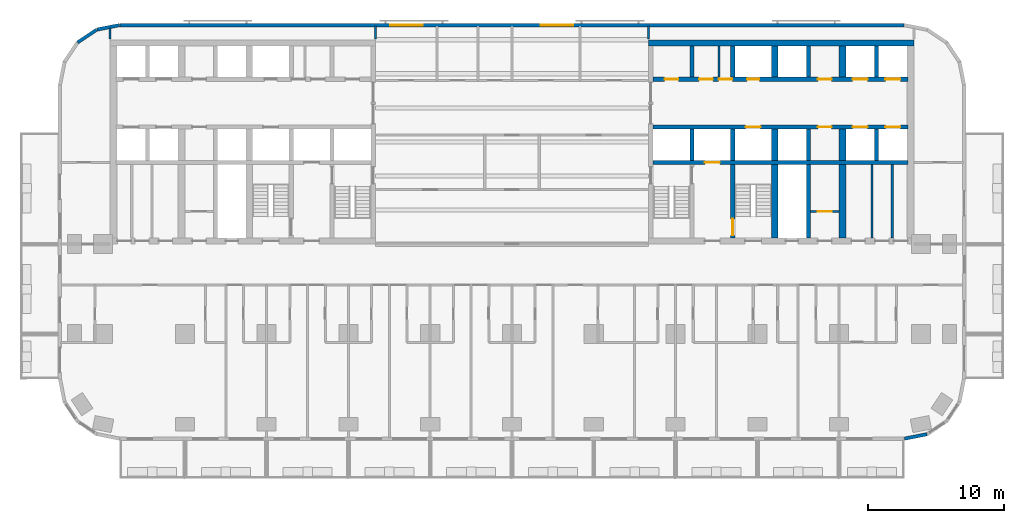
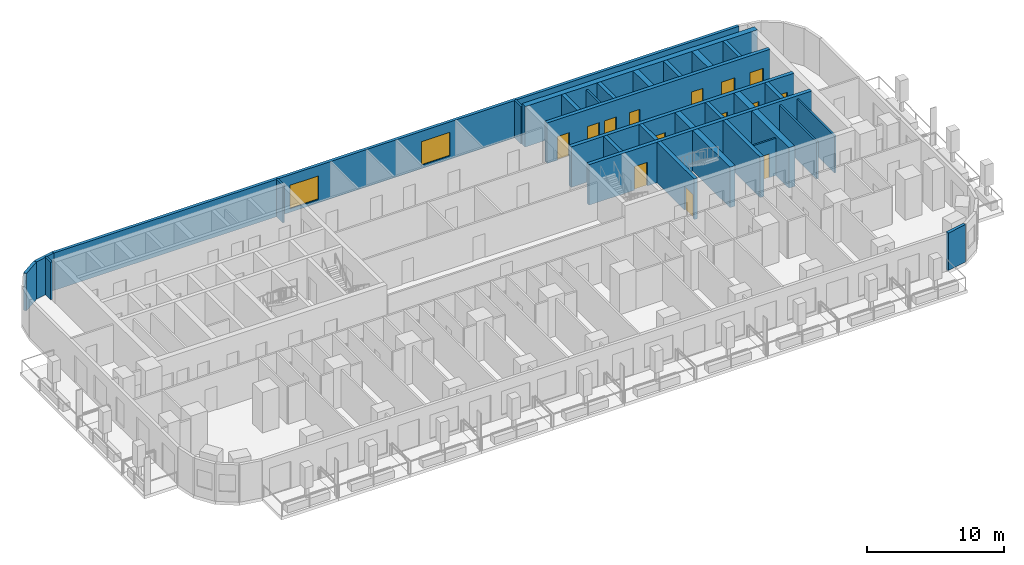
# One storey, part 8 of 15: 31 walls, 14 doors, 2 windows, 16 openings.
"""IFC4 building model written with IfcOpenShell, lengths in metres."""

from ifc_helpers import new_model, si_unit, direction, frame, frame_2d, origin, place, context, subcontext, project, spatial, rectangle, extrude, material, layer, layer_set, type_object, element, fill, save


model = new_model("IFC4")

# Units and contexts
model_context = context("Model", 3, precision=1e-05, world=origin(), true_north=direction((0.0, 1.0)))
body_context = subcontext(model_context, "Body", "Model", "MODEL_VIEW")
ifc_project = project(units=[si_unit("LENGTHUNIT", "METRE"), si_unit("AREAUNIT", "SQUARE_METRE"), si_unit("VOLUMEUNIT", "CUBIC_METRE"), si_unit("PLANEANGLEUNIT", "RADIAN"), si_unit("MASSUNIT", "GRAM", prefix="KILO")], contexts=[model_context])

# Site, building, storey
site_placement = place(None, origin())
site = spatial("IfcSite", under=ifc_project, at=site_placement, CompositionType="ELEMENT")
building_placement = place(site_placement, origin())
building = spatial("IfcBuilding", under=site, at=building_placement, Name="Torana Hotel and Residences", CompositionType="ELEMENT")
storey_placement = place(building_placement, frame((0.0, 0.0, 42.0)))
storey = spatial("IfcBuildingStorey", under=building, at=storey_placement, Name="L09", CompositionType="ELEMENT", Elevation=42.0)

# Wall, openings, doors
ifc_material_1 = material(Name="Concrete C80/95", Category="concrete")
ifc_layer_1 = layer(ifc_material_1, 0.300048828125)
ifc_layer_set_1 = layer_set([ifc_layer_1], Name="CORE WALL 300 C80/95")
wall_type_1 = type_object("IfcWallType", Name="CORE WALL 300 C80/95", PredefinedType="SHEAR", material=ifc_layer_set_1)
wall_1_placement = place(storey_placement, frame((10.35009765625, -2.89990234375, 0.0), z_axis=(0.0, 0.0, 1.0), x_axis=(1.0, 0.0, 0.0)))
wall_1 = element("IfcWall", 1, at=wall_1_placement, inside=storey, type_object=wall_type_1, Name="Core wall E row-N", PredefinedType="SHEAR", context=body_context, shape_type="SweptSolid", body=[
    extrude(rectangle(XDim=18.699951171875, YDim=0.300048828125, at=frame_2d((9.35009765625, 0.0))), origin(), (0.0, 0.0, 1.0), 3.60009765625),
])
opening_1_placement = place(wall_1_placement, frame((14.64990234375, 0.0, 0.0)))
opening_1 = element("IfcOpeningElement", 2, at=opening_1_placement, cuts=wall_1, Name="Opening LD", PredefinedType="OPENING", context=body_context, shape_type="SweptSolid", body=[
    extrude(rectangle(XDim=1.10009765625, YDim=2.10009765625, at=frame_2d((0.550048828125, 1.050048828125))), frame((0.0, 0.159912109375, 0.0), z_axis=(0.0, -1.0, 0.0), x_axis=(1.0, 0.0, 0.0)), (0.0, 0.0, 1.0), 0.320068359375),
])
opening_2_placement = place(wall_1_placement, frame((17.050048828125, 0.0, 0.0)))
opening_2 = element("IfcOpeningElement", 3, at=opening_2_placement, cuts=wall_1, Name="Opening LD", PredefinedType="OPENING", context=body_context, shape_type="SweptSolid", body=[
    extrude(rectangle(XDim=1.10009765625, YDim=2.10009765625, at=frame_2d((0.550048828125, 1.050048828125))), frame((0.0, 0.159912109375, 0.0), z_axis=(0.0, -1.0, 0.0), x_axis=(1.0, 0.0, 0.0)), (0.0, 0.0, 1.0), 0.320068359375),
])
opening_3_placement = place(wall_1_placement, frame((6.89990234375, 0.0, 0.0)))
opening_3 = element("IfcOpeningElement", 4, at=opening_3_placement, cuts=wall_1, Name="Opening L09-29", PredefinedType="OPENING", context=body_context, shape_type="SweptSolid", body=[
    extrude(rectangle(XDim=0.89990234375, YDim=2.10009765625, at=frame_2d((0.449951171875, 1.050048828125))), frame((0.0, 0.159912109375, 0.0), z_axis=(0.0, -1.0, 0.0), x_axis=(1.0, 0.0, 0.0)), (0.0, 0.0, 1.0), 0.320068359375),
])
opening_4_placement = place(wall_1_placement, frame((0.85009765625, 0.0, 0.0)))
opening_4 = element("IfcOpeningElement", 5, at=opening_4_placement, cuts=wall_1, Name="Opening L09-30", PredefinedType="OPENING", context=body_context, shape_type="SweptSolid", body=[
    extrude(rectangle(XDim=1.0, YDim=2.10009765625, at=frame_2d((0.5, 1.050048828125))), frame((0.0, 0.159912109375, 0.0), z_axis=(0.0, -1.0, 0.0), x_axis=(1.0, 0.0, 0.0)), (0.0, 0.0, 1.0), 0.320068359375),
])
opening_5_placement = place(wall_1_placement, frame((3.387451171875, 0.0, 0.0)))
opening_5 = element("IfcOpeningElement", 6, at=opening_5_placement, cuts=wall_1, Name="Opening L09-31", PredefinedType="OPENING", context=body_context, shape_type="SweptSolid", body=[
    extrude(rectangle(XDim=1.0, YDim=2.10009765625, at=frame_2d((0.5, 1.050048828125))), frame((0.0, 0.159912109375, 0.0), z_axis=(0.0, -1.0, 0.0), x_axis=(1.0, 0.0, 0.0)), (0.0, 0.0, 1.0), 0.320068359375),
])
opening_6_placement = place(wall_1_placement, frame((4.8125, 0.0, 0.0)))
opening_6 = element("IfcOpeningElement", 7, at=opening_6_placement, cuts=wall_1, Name="Opening L09-32", PredefinedType="OPENING", context=body_context, shape_type="SweptSolid", body=[
    extrude(rectangle(XDim=1.0, YDim=2.10009765625, at=frame_2d((0.5, 1.050048828125))), frame((0.0, 0.159912109375, 0.0), z_axis=(0.0, -1.0, 0.0), x_axis=(1.0, 0.0, 0.0)), (0.0, 0.0, 1.0), 0.320068359375),
])
opening_7_placement = place(wall_1_placement, frame((12.10009765625, 0.0, 0.0)))
opening_7 = element("IfcOpeningElement", 8, at=opening_7_placement, cuts=wall_1, Name="Opening L09-33", PredefinedType="OPENING", context=body_context, shape_type="SweptSolid", body=[
    extrude(rectangle(XDim=1.0, YDim=2.10009765625, at=frame_2d((0.5, 1.050048828125))), frame((0.0, 0.159912109375, 0.0), z_axis=(0.0, -1.0, 0.0), x_axis=(1.0, 0.0, 0.0)), (0.0, 0.0, 1.0), 0.320068359375),
])
ifc_material_2 = material(Name="Steel S235", Category="steel")
door_type_1 = type_object("IfcDoorType", Name="CORE ROOM FIRE DOOR D14 1000x2100", OperationType="SINGLE_SWING_LEFT", PredefinedType="DOOR", material=ifc_material_2)
door_1_placement = place(opening_4_placement, origin())
door_1 = element("IfcDoor", 9, at=door_1_placement, inside=storey, type_object=door_type_1, Name="N0 door L09", OperationType="SINGLE_SWING_RIGHT", OverallHeight=2.10009765625, OverallWidth=1.0, PredefinedType="DOOR", context=body_context, shape_type="SweptSolid", body=[
    extrude(rectangle(XDim=1.0, YDim=2.10009765625, at=frame_2d((0.5, 1.050048828125))), frame((0.0, 0.02490234375, 0.0), z_axis=(0.0, -1.0, 0.0), x_axis=(1.0, 0.0, 0.0)), (0.0, 0.0, 1.0), 0.050048828125),
])
fill(opening_4, door_1)
door_2_placement = place(opening_5_placement, origin())
door_2 = element("IfcDoor", 10, at=door_2_placement, inside=storey, type_object=door_type_1, Name="N1A door L09", OperationType="SINGLE_SWING_RIGHT", OverallHeight=2.10009765625, OverallWidth=1.0, PredefinedType="DOOR", context=body_context, shape_type="SweptSolid", body=[
    extrude(rectangle(XDim=1.0, YDim=2.10009765625, at=frame_2d((0.5, 1.050048828125))), frame((0.0, 0.02490234375, 0.0), z_axis=(0.0, -1.0, 0.0), x_axis=(1.0, 0.0, 0.0)), (0.0, 0.0, 1.0), 0.050048828125),
])
fill(opening_5, door_2)
door_3_placement = place(opening_6_placement, origin())
door_3 = element("IfcDoor", 11, at=door_3_placement, inside=storey, type_object=door_type_1, Name="N1B door L09", OperationType="SINGLE_SWING_LEFT", OverallHeight=2.10009765625, OverallWidth=1.0, PredefinedType="DOOR", context=body_context, shape_type="SweptSolid", body=[
    extrude(rectangle(XDim=1.0, YDim=2.10009765625, at=frame_2d((0.5, 1.050048828125))), frame((0.0, 0.02490234375, 0.0), z_axis=(0.0, -1.0, 0.0), x_axis=(1.0, 0.0, 0.0)), (0.0, 0.0, 1.0), 0.050048828125),
])
fill(opening_6, door_3)
door_4_placement = place(opening_7_placement, origin())
door_4 = element("IfcDoor", 12, at=door_4_placement, inside=storey, type_object=door_type_1, Name="Free-M3 door L09", OperationType="SINGLE_SWING_RIGHT", OverallHeight=2.10009765625, OverallWidth=1.0, PredefinedType="DOOR", context=body_context, shape_type="SweptSolid", body=[
    extrude(rectangle(XDim=1.0, YDim=2.10009765625, at=frame_2d((0.5, 1.050048828125))), frame((0.0, 0.02490234375, 0.0), z_axis=(0.0, -1.0, 0.0), x_axis=(1.0, 0.0, 0.0)), (0.0, 0.0, 1.0), 0.050048828125),
])
fill(opening_7, door_4)
ifc_material_3 = material(Name="Stainless steel 316", Category="steel")
door_type_2 = type_object("IfcDoorType", Name="LIFT LANDING DOOR LD 1100x2100", OperationType="DOUBLE_DOOR_SLIDING", PredefinedType="USERDEFINED", material=ifc_material_3)
door_5_placement = place(opening_1_placement, origin())
door_5 = element("IfcDoor", 13, at=door_5_placement, inside=storey, type_object=door_type_2, Name="Lift landing door L5 L09", ObjectType="LIFT LANDING DOOR", OperationType="DOUBLE_DOOR_SLIDING", OverallHeight=2.10009765625, OverallWidth=1.10009765625, PredefinedType="USERDEFINED", context=body_context, shape_type="SweptSolid", body=[
    extrude(rectangle(XDim=1.10009765625, YDim=2.10009765625, at=frame_2d((0.550048828125, 1.050048828125))), frame((0.0, 0.02490234375, 0.0), z_axis=(0.0, -1.0, 0.0), x_axis=(1.0, 0.0, 0.0)), (0.0, 0.0, 1.0), 0.050048828125),
])
fill(opening_1, door_5)
door_6_placement = place(opening_2_placement, origin())
door_6 = element("IfcDoor", 14, at=door_6_placement, inside=storey, type_object=door_type_2, Name="Lift landing door L6 L09", ObjectType="LIFT LANDING DOOR", OperationType="DOUBLE_DOOR_SLIDING", OverallHeight=2.10009765625, OverallWidth=1.10009765625, PredefinedType="USERDEFINED", context=body_context, shape_type="SweptSolid", body=[
    extrude(rectangle(XDim=1.10009765625, YDim=2.10009765625, at=frame_2d((0.550048828125, 1.050048828125))), frame((0.0, 0.02490234375, 0.0), z_axis=(0.0, -1.0, 0.0), x_axis=(1.0, 0.0, 0.0)), (0.0, 0.0, 1.0), 0.050048828125),
])
fill(opening_2, door_6)
ifc_material_4 = material(Name="Steel S235", Category="steel")
door_type_3 = type_object("IfcDoorType", Name="RISER ACCESS DOOR D5 900x2100", OperationType="SINGLE_SWING_LEFT", PredefinedType="DOOR", material=ifc_material_4)
door_7_placement = place(opening_3_placement, origin())
door_7 = element("IfcDoor", 15, at=door_7_placement, inside=storey, type_object=door_type_3, Name="N2 door L09", OperationType="SINGLE_SWING_RIGHT", OverallHeight=2.10009765625, OverallWidth=0.89990234375, PredefinedType="DOOR", context=body_context, shape_type="SweptSolid", body=[
    extrude(rectangle(XDim=0.89990234375, YDim=2.10009765625, at=frame_2d((0.449951171875, 1.050048828125))), frame((0.0, 0.02490234375, 0.0), z_axis=(0.0, -1.0, 0.0), x_axis=(1.0, 0.0, 0.0)), (0.0, 0.0, 1.0), 0.050048828125),
])
fill(opening_3, door_7)

wall_2_placement = place(storey_placement, frame((10.35009765625, -6.39990234375, 0.0), z_axis=(0.0, 0.0, 1.0), x_axis=(1.0, 0.0, 0.0)))
wall_2 = element("IfcWall", 16, at=wall_2_placement, inside=storey, type_object=wall_type_1, Name="Core wall E row-S", PredefinedType="SHEAR", context=body_context, shape_type="SweptSolid", body=[
    extrude(rectangle(XDim=18.699951171875, YDim=0.300048828125, at=frame_2d((9.35009765625, 0.0))), origin(), (0.0, 0.0, 1.0), 3.60009765625),
])
opening_8_placement = place(wall_2_placement, frame((14.64990234375, 0.0, 0.0)))
opening_8 = element("IfcOpeningElement", 17, at=opening_8_placement, cuts=wall_2, Name="Opening LD", PredefinedType="OPENING", context=body_context, shape_type="SweptSolid", body=[
    extrude(rectangle(XDim=1.10009765625, YDim=2.10009765625, at=frame_2d((0.550048828125, 1.050048828125))), frame((0.0, 0.159912109375, 0.0), z_axis=(0.0, -1.0, 0.0), x_axis=(1.0, 0.0, 0.0)), (0.0, 0.0, 1.0), 0.320068359375),
])
opening_9_placement = place(wall_2_placement, frame((17.050048828125, 0.0, 0.0)))
opening_9 = element("IfcOpeningElement", 18, at=opening_9_placement, cuts=wall_2, Name="Opening LD", PredefinedType="OPENING", context=body_context, shape_type="SweptSolid", body=[
    extrude(rectangle(XDim=1.10009765625, YDim=2.10009765625, at=frame_2d((0.550048828125, 1.050048828125))), frame((0.0, 0.159912109375, 0.0), z_axis=(0.0, -1.0, 0.0), x_axis=(1.0, 0.0, 0.0)), (0.0, 0.0, 1.0), 0.320068359375),
])
opening_10_placement = place(wall_2_placement, frame((6.800048828125, 0.0, 0.0)))
opening_10 = element("IfcOpeningElement", 19, at=opening_10_placement, cuts=wall_2, Name="Opening LD", PredefinedType="OPENING", context=body_context, shape_type="SweptSolid", body=[
    extrude(rectangle(XDim=1.10009765625, YDim=2.10009765625, at=frame_2d((0.550048828125, 1.050048828125))), frame((0.0, 0.159912109375, 0.0), z_axis=(0.0, -1.0, 0.0), x_axis=(1.0, 0.0, 0.0)), (0.0, 0.0, 1.0), 0.320068359375),
])
opening_11_placement = place(wall_2_placement, frame((12.10009765625, 0.0, 0.0)))
opening_11 = element("IfcOpeningElement", 20, at=opening_11_placement, cuts=wall_2, Name="Opening L09-34", PredefinedType="OPENING", context=body_context, shape_type="SweptSolid", body=[
    extrude(rectangle(XDim=1.0, YDim=2.10009765625, at=frame_2d((0.5, 1.050048828125))), frame((0.0, 0.159912109375, 0.0), z_axis=(0.0, -1.0, 0.0), x_axis=(1.0, 0.0, 0.0)), (0.0, 0.0, 1.0), 0.320068359375),
])
door_8_placement = place(opening_11_placement, frame((0.5, 0.0, 0.0), z_axis=(0.0, 0.0, 1.0), x_axis=(-1.0, 0.0, 0.0)))
door_8 = element("IfcDoor", 21, at=door_8_placement, inside=storey, type_object=door_type_1, Name="Free-M4 door L09", OperationType="SINGLE_SWING_LEFT", OverallHeight=2.10009765625, OverallWidth=1.0, PredefinedType="DOOR", context=body_context, shape_type="SweptSolid", body=[
    extrude(rectangle(XDim=1.0, YDim=2.10009765625, at=frame_2d((0.0, 1.050048828125))), frame((0.0, -0.02490234375, 0.0), z_axis=(0.0, 1.0, 0.0), x_axis=(-1.0, 0.0, 0.0)), (0.0, 0.0, 1.0), 0.050048828125),
])
fill(opening_11, door_8)
door_9_placement = place(opening_8_placement, origin())
door_9 = element("IfcDoor", 22, at=door_9_placement, inside=storey, type_object=door_type_2, Name="Lift landing door L7 L09", ObjectType="LIFT LANDING DOOR", OperationType="DOUBLE_DOOR_SLIDING", OverallHeight=2.10009765625, OverallWidth=1.10009765625, PredefinedType="USERDEFINED", context=body_context, shape_type="SweptSolid", body=[
    extrude(rectangle(XDim=1.10009765625, YDim=2.10009765625, at=frame_2d((0.550048828125, 1.050048828125))), frame((0.0, 0.02490234375, 0.0), z_axis=(0.0, -1.0, 0.0), x_axis=(1.0, 0.0, 0.0)), (0.0, 0.0, 1.0), 0.050048828125),
])
fill(opening_8, door_9)
door_10_placement = place(opening_9_placement, origin())
door_10 = element("IfcDoor", 23, at=door_10_placement, inside=storey, type_object=door_type_2, Name="Lift landing door L8 L09", ObjectType="LIFT LANDING DOOR", OperationType="DOUBLE_DOOR_SLIDING", OverallHeight=2.10009765625, OverallWidth=1.10009765625, PredefinedType="USERDEFINED", context=body_context, shape_type="SweptSolid", body=[
    extrude(rectangle(XDim=1.10009765625, YDim=2.10009765625, at=frame_2d((0.550048828125, 1.050048828125))), frame((0.0, 0.02490234375, 0.0), z_axis=(0.0, -1.0, 0.0), x_axis=(1.0, 0.0, 0.0)), (0.0, 0.0, 1.0), 0.050048828125),
])
fill(opening_9, door_10)
door_11_placement = place(opening_10_placement, origin())
door_11 = element("IfcDoor", 24, at=door_11_placement, inside=storey, type_object=door_type_2, Name="Lift landing door SV2 L09", ObjectType="LIFT LANDING DOOR", OperationType="DOUBLE_DOOR_SLIDING", OverallHeight=2.10009765625, OverallWidth=1.10009765625, PredefinedType="USERDEFINED", context=body_context, shape_type="SweptSolid", body=[
    extrude(rectangle(XDim=1.10009765625, YDim=2.10009765625, at=frame_2d((0.550048828125, 1.050048828125))), frame((0.0, 0.02490234375, 0.0), z_axis=(0.0, -1.0, 0.0), x_axis=(1.0, 0.0, 0.0)), (0.0, 0.0, 1.0), 0.050048828125),
])
fill(opening_10, door_11)

# Wall, opening, door
wall_3_placement = place(storey_placement, frame((10.35009765625, -9.0, 0.0), z_axis=(0.0, 0.0, 1.0), x_axis=(1.0, 0.0, 0.0)))
wall_3 = element("IfcWall", 25, at=wall_3_placement, inside=storey, type_object=wall_type_1, Name="Core wall E band", PredefinedType="SHEAR", context=body_context, shape_type="SweptSolid", body=[
    extrude(rectangle(XDim=18.699951171875, YDim=0.300048828125, at=frame_2d((9.35009765625, 0.0))), origin(), (0.0, 0.0, 1.0), 3.60009765625),
])
opening_12_placement = place(wall_3_placement, frame((3.800048828125, 0.0, 0.0)))
opening_12 = element("IfcOpeningElement", 26, at=opening_12_placement, cuts=wall_3, Name="Opening LD", PredefinedType="OPENING", context=body_context, shape_type="SweptSolid", body=[
    extrude(rectangle(XDim=1.10009765625, YDim=2.10009765625, at=frame_2d((0.550048828125, 1.050048828125))), frame((0.0, 0.159912109375, 0.0), z_axis=(0.0, -1.0, 0.0), x_axis=(1.0, 0.0, 0.0)), (0.0, 0.0, 1.0), 0.320068359375),
])
door_12_placement = place(opening_12_placement, origin())
door_12 = element("IfcDoor", 27, at=door_12_placement, inside=storey, type_object=door_type_2, Name="Lift landing door FF2 L09", ObjectType="LIFT LANDING DOOR", OperationType="DOUBLE_DOOR_SLIDING", OverallHeight=2.10009765625, OverallWidth=1.10009765625, PredefinedType="USERDEFINED", context=body_context, shape_type="SweptSolid", body=[
    extrude(rectangle(XDim=1.10009765625, YDim=2.10009765625, at=frame_2d((0.550048828125, 1.050048828125))), frame((0.0, 0.02490234375, 0.0), z_axis=(0.0, -1.0, 0.0), x_axis=(1.0, 0.0, 0.0)), (0.0, 0.0, 1.0), 0.050048828125),
])
fill(opening_12, door_12)

# Walls
for number, where, z_axis, x_axis, name in (
    (28, (13.199951171875, -2.75, 0.0), (0.0, 0.0, 1.0), (0.0, 1.0, 0.0), "Core wall E x3.05-N"),
    (29, (13.199951171875, -8.85009765625, 0.0), (0.0, 0.0, 1.0), (0.0, 1.0, 0.0), "Core wall E x3.05-S"),
    (30, (16.199951171875, -2.75, 0.0), (0.0, 0.0, 1.0), (0.0, 1.0, 0.0), "Core wall E x6.05-N"),
    (31, (16.199951171875, -8.85009765625, 0.0), (0.0, 0.0, 1.0), (0.0, 1.0, 0.0), "Core wall E x6.05-S"),
):
    element("IfcWall", number, at=place(storey_placement, frame(where, z_axis=z_axis, x_axis=x_axis)), inside=storey, type_object=wall_type_1, Name=name, PredefinedType="SHEAR", context=body_context, shape_type="SweptSolid", body=[
        extrude(rectangle(XDim=2.300048828125, YDim=0.300048828125, at=frame_2d((1.14990234375, 0.0))), origin(), (0.0, 0.0, 1.0), 3.60009765625),
    ])

# Wall, opening, door
wall_4_placement = place(storey_placement, frame((16.199951171875, -14.550048828125, 0.0), z_axis=(0.0, 0.0, 1.0), x_axis=(0.0, 1.0, 0.0)))
wall_4 = element("IfcWall", 32, at=wall_4_placement, inside=storey, type_object=wall_type_1, Name="Core wall E x6.05-band", PredefinedType="SHEAR", context=body_context, shape_type="SweptSolid", body=[
    extrude(rectangle(XDim=5.400146484375, YDim=0.300048828125, at=frame_2d((2.7001953125, 0.0))), origin(), (0.0, 0.0, 1.0), 3.60009765625),
])
opening_13_placement = place(wall_4_placement, frame((0.199951171875, 0.0, 0.0)))
opening_13 = element("IfcOpeningElement", 33, at=opening_13_placement, cuts=wall_4, Name="Opening L09-36", PredefinedType="OPENING", context=body_context, shape_type="SweptSolid", body=[
    extrude(rectangle(XDim=1.199951171875, YDim=2.10009765625, at=frame_2d((0.60009765625, 1.050048828125))), frame((0.0, 0.159912109375, 0.0), z_axis=(0.0, -1.0, 0.0), x_axis=(1.0, 0.0, 0.0)), (0.0, 0.0, 1.0), 0.320068359375),
])
ifc_material_5 = material(Name="Steel S235", Category="steel")
door_type_4 = type_object("IfcDoorType", Name="STAIR FIRE DOOR D3 1200x2100", OperationType="SINGLE_SWING_LEFT", PredefinedType="DOOR", material=ifc_material_5)
door_13_placement = place(opening_13_placement, frame((0.60009765625, 0.0, 0.0), z_axis=(0.0, 0.0, 1.0), x_axis=(-1.0, 0.0, 0.0)))
door_13 = element("IfcDoor", 34, at=door_13_placement, inside=storey, type_object=door_type_4, Name="Stair-B-lobby door L09", OperationType="SINGLE_SWING_LEFT", OverallHeight=2.10009765625, OverallWidth=1.199951171875, PredefinedType="DOOR", context=body_context, shape_type="SweptSolid", body=[
    extrude(rectangle(XDim=1.199951171875, YDim=2.10009765625, at=frame_2d((0.0, 1.050048828125))), frame((0.0, -0.02490234375, 0.0), z_axis=(0.0, 1.0, 0.0), x_axis=(-1.0, 0.0, 0.0)), (0.0, 0.0, 1.0), 0.050048828125),
])
fill(opening_13, door_13)

# Walls
for number, where, z_axis, x_axis, name in (
    (35, (21.75, -2.75, 0.0), (0.0, 0.0, 1.0), (0.0, 1.0, 0.0), "Core wall E mm-N"),
    (36, (21.75, -8.85009765625, 0.0), (0.0, 0.0, 1.0), (0.0, 1.0, 0.0), "Core wall E mm-S"),
):
    element("IfcWall", number, at=place(storey_placement, frame(where, z_axis=z_axis, x_axis=x_axis)), inside=storey, type_object=wall_type_1, Name=name, PredefinedType="SHEAR", context=body_context, shape_type="SweptSolid", body=[
        extrude(rectangle(XDim=2.300048828125, YDim=0.300048828125, at=frame_2d((1.14990234375, 0.0))), origin(), (0.0, 0.0, 1.0), 3.60009765625),
    ])
wall_5_placement = place(storey_placement, frame((21.75, -14.550048828125, 0.0), z_axis=(0.0, 0.0, 1.0), x_axis=(0.0, 1.0, 0.0)))
element("IfcWall", 37, at=wall_5_placement, inside=storey, type_object=wall_type_1, Name="Core wall E mm-band", PredefinedType="SHEAR", context=body_context, shape_type="SweptSolid", body=[
    extrude(rectangle(XDim=5.400146484375, YDim=0.300048828125, at=frame_2d((2.7001953125, 0.0))), origin(), (0.0, 0.0, 1.0), 3.60009765625),
])
for number, where, z_axis, x_axis, name in (
    (38, (26.75, -2.75, 0.0), (0.0, 0.0, 1.0), (0.0, 1.0, 0.0), "Core wall E ll-N"),
    (39, (26.75, -8.85009765625, 0.0), (0.0, 0.0, 1.0), (0.0, 1.0, 0.0), "Core wall E ll-S"),
):
    element("IfcWall", number, at=place(storey_placement, frame(where, z_axis=z_axis, x_axis=x_axis)), inside=storey, type_object=wall_type_1, Name=name, PredefinedType="SHEAR", context=body_context, shape_type="SweptSolid", body=[
        extrude(rectangle(XDim=2.300048828125, YDim=0.300048828125, at=frame_2d((1.14990234375, 0.0))), origin(), (0.0, 0.0, 1.0), 3.60009765625),
    ])
ifc_material_6 = material(Name="Concrete C80/95", Category="concrete")
ifc_layer_2 = layer(ifc_material_6, 0.449951171875)
ifc_layer_set_2 = layer_set([ifc_layer_2], Name="CORE WALL 450 C80/95")
wall_type_2 = type_object("IfcWallType", Name="CORE WALL 450 C80/95", PredefinedType="SHEAR", material=ifc_layer_set_2)
wall_6_placement = place(storey_placement, frame((10.0, -0.22509765625, 0.0), z_axis=(0.0, 0.0, 1.0), x_axis=(1.0, 0.0, 0.0)))
element("IfcWall", 40, at=wall_6_placement, inside=storey, type_object=wall_type_2, Name="Core wall E rear", PredefinedType="SHEAR", context=body_context, shape_type="SweptSolid", body=[
    extrude(rectangle(XDim=19.5, YDim=0.449951171875, at=frame_2d((9.75, 0.0))), origin(), (0.0, 0.0, 1.0), 3.60009765625),
])
for number, where, z_axis, x_axis, name in (
    (41, (19.27490234375, -2.75, 0.0), (0.0, 0.0, 1.0), (0.0, 1.0, 0.0), "Core wall E hm-N"),
    (42, (19.27490234375, -8.85009765625, 0.0), (0.0, 0.0, 1.0), (0.0, 1.0, 0.0), "Core wall E hm-S"),
):
    element("IfcWall", number, at=place(storey_placement, frame(where, z_axis=z_axis, x_axis=x_axis)), inside=storey, type_object=wall_type_2, Name=name, PredefinedType="SHEAR", context=body_context, shape_type="SweptSolid", body=[
        extrude(rectangle(XDim=2.300048828125, YDim=0.449951171875, at=frame_2d((1.14990234375, 0.0))), origin(), (0.0, 0.0, 1.0), 3.60009765625),
    ])
wall_7_placement = place(storey_placement, frame((19.27490234375, -14.550048828125, 0.0), z_axis=(0.0, 0.0, 1.0), x_axis=(0.0, 1.0, 0.0)))
element("IfcWall", 43, at=wall_7_placement, inside=storey, type_object=wall_type_2, Name="Core wall E hm-band", PredefinedType="SHEAR", context=body_context, shape_type="SweptSolid", body=[
    extrude(rectangle(XDim=5.400146484375, YDim=0.449951171875, at=frame_2d((2.7001953125, 0.0))), origin(), (0.0, 0.0, 1.0), 3.60009765625),
])
ifc_material_7 = material(Name="Concrete C80/95", Category="concrete")
ifc_layer_3 = layer(ifc_material_7, 0.5)
ifc_layer_set_3 = layer_set([ifc_layer_3], Name="CORE WALL 500 C80/95")
wall_type_3 = type_object("IfcWallType", Name="CORE WALL 500 C80/95", PredefinedType="SHEAR", material=ifc_layer_set_3)
for number, where, z_axis, x_axis, name in (
    (44, (24.25, -2.75, 0.0), (0.0, 0.0, 1.0), (0.0, 1.0, 0.0), "Core wall E ml-N"),
    (45, (24.25, -8.85009765625, 0.0), (0.0, 0.0, 1.0), (0.0, 1.0, 0.0), "Core wall E ml-S"),
):
    element("IfcWall", number, at=place(storey_placement, frame(where, z_axis=z_axis, x_axis=x_axis)), inside=storey, type_object=wall_type_3, Name=name, PredefinedType="SHEAR", context=body_context, shape_type="SweptSolid", body=[
        extrude(rectangle(XDim=2.300048828125, YDim=0.5, at=frame_2d((1.14990234375, 0.0))), origin(), (0.0, 0.0, 1.0), 3.60009765625),
    ])
wall_8_placement = place(storey_placement, frame((24.25, -14.550048828125, 0.0), z_axis=(0.0, 0.0, 1.0), x_axis=(0.0, 1.0, 0.0)))
element("IfcWall", 46, at=wall_8_placement, inside=storey, type_object=wall_type_3, Name="Core wall E ml-band", PredefinedType="SHEAR", context=body_context, shape_type="SweptSolid", body=[
    extrude(rectangle(XDim=5.400146484375, YDim=0.5, at=frame_2d((2.7001953125, 0.0))), origin(), (0.0, 0.0, 1.0), 3.60009765625),
])
ifc_material_8 = material(Name="Black aluminium composite panel", Category="aluminium")
ifc_layer_4 = layer(ifc_material_8, 0.00390625, Name="Cladding", Category="cladding")
ifc_material_9 = material(Name="Ventilated air cavity")
ifc_layer_5 = layer(ifc_material_9, 0.0400390625, Name="Ventilated cavity", Category="cavity")
ifc_material_10 = material(Name="Mineral wool insulation")
ifc_layer_6 = layer(ifc_material_10, 0.090087890625, Name="Insulation", Category="insulation")
ifc_material_11 = material(Name="Steel S280GD", Category="steel")
ifc_layer_7 = layer(ifc_material_11, 0.092041015625, Name="Steel stud frame", Category="structure")
ifc_material_12 = material(Name="Fire rated plasterboard")
ifc_layer_8 = layer(ifc_material_12, 0.011962890625, Name="Inner board", Category="finish")
ifc_layer_9 = layer(ifc_material_12, 0.011962890625, Name="Second board", Category="finish")
ifc_layer_set_4 = layer_set([ifc_layer_4, ifc_layer_5, ifc_layer_6, ifc_layer_7, ifc_layer_8, ifc_layer_9], Name="EW1 EXTERNAL WALL BLACK METAL CLAD 250")
wall_type_4 = type_object("IfcWallType", Name="EW1 EXTERNAL WALL BLACK METAL CLAD 250", PredefinedType="SOLIDWALL", material=ifc_layer_set_4)
wall_9_placement = place(storey_placement, frame((-28.7998046875, 1.072509765625, 0.0), z_axis=(0.0, 0.0, 1.0), x_axis=(-0.980803419081, -0.194999110559, 0.0)))
element("IfcWall", 47, at=wall_9_placement, inside=storey, type_object=wall_type_4, Name="External wall L09 e0.5", PredefinedType="SOLIDWALL", context=body_context, shape_type="SweptSolid", body=[
    extrude(rectangle(XDim=1.681396484375, YDim=0.25, at=frame_2d((0.8408203125, 0.0))), origin(), (0.0, 0.0, 1.0), 3.320068359375),
])
wall_10_placement = place(storey_placement, frame((-30.493896484375, 0.725830078125, 0.0), z_axis=(0.0, 0.0, 1.0), x_axis=(-0.831482937015, -0.55555029066, 0.0)))
element("IfcWall", 48, at=wall_10_placement, inside=storey, type_object=wall_type_4, Name="External wall L09 e0.6", PredefinedType="SOLIDWALL", context=body_context, shape_type="SweptSolid", body=[
    extrude(rectangle(XDim=1.65625, YDim=0.25, at=frame_2d((0.828125, 0.0))), origin(), (0.0, 0.0, 1.0), 3.320068359375),
])
wall_11_placement = place(storey_placement, frame((28.7998046875, -29.272705078125, 0.0), z_axis=(0.0, 0.0, 1.0), x_axis=(0.980775640221, 0.19513878023, 0.0)))
element("IfcWall", 49, at=wall_11_placement, inside=storey, type_object=wall_type_4, Name="External wall L09 e0.15", PredefinedType="SOLIDWALL", context=body_context, shape_type="SweptSolid", body=[
    extrude(rectangle(XDim=1.681396484375, YDim=0.25, at=frame_2d((0.8408203125, 0.0))), origin(), (0.0, 0.0, 1.0), 3.320068359375),
])

# Wall, openings, windows
ifc_material_13 = material(Name="Concrete C40/50 precast", Category="concrete")
ifc_layer_10 = layer(ifc_material_13, 0.10009765625, Name="Perforated block", Category="cladding")
ifc_material_14 = material(Name="Air cavity")
ifc_layer_11 = layer(ifc_material_14, 0.030029296875, Name="Cavity", Category="cavity")
ifc_material_15 = material(Name="Concrete C40/50", Category="concrete")
ifc_layer_12 = layer(ifc_material_15, 0.10009765625, Name="Wall", Category="structure")
ifc_material_16 = material(Name="Plaster and paint")
ifc_layer_13 = layer(ifc_material_16, 0.02001953125, Name="Inner finish", Category="finish")
ifc_layer_set_5 = layer_set([ifc_layer_10, ifc_layer_11, ifc_layer_12, ifc_layer_13], Name="EW2 PERFORATED BLOCK SCREEN WALL 250")
wall_type_5 = type_object("IfcWallType", Name="EW2 PERFORATED BLOCK SCREEN WALL 250", PredefinedType="SOLIDWALL", material=ifc_layer_set_5)
wall_12_placement = place(storey_placement, frame((28.775390625, 1.074951171875, 0.0), z_axis=(0.0, 0.0, 1.0), x_axis=(-1.0, 0.0, 0.0)))
wall_12 = element("IfcWall", 50, at=wall_12_placement, inside=storey, type_object=wall_type_5, Name="External wall L09 e0.4", PredefinedType="SOLIDWALL", context=body_context, shape_type="SweptSolid", body=[
    extrude(rectangle(XDim=57.55078125, YDim=0.25, at=frame_2d((28.775390625, 0.0))), origin(), (0.0, 0.0, 1.0), 3.320068359375),
])
opening_14_placement = place(wall_12_placement, frame((24.275390625, 0.0, 0.300048828125)))
opening_14 = element("IfcOpeningElement", 51, at=opening_14_placement, cuts=wall_12, Name="Opening W1", PredefinedType="OPENING", context=body_context, shape_type="SweptSolid", body=[
    extrude(rectangle(XDim=2.39990234375, YDim=2.10009765625, at=frame_2d((1.199951171875, 1.050048828125))), frame((0.0, 0.135009765625, 0.0), z_axis=(0.0, -1.0, 0.0), x_axis=(1.0, 0.0, 0.0)), (0.0, 0.0, 1.0), 0.27001953125),
])
opening_15_placement = place(wall_12_placement, frame((35.325439453125, 0.0, 0.300048828125)))
opening_15 = element("IfcOpeningElement", 52, at=opening_15_placement, cuts=wall_12, Name="Opening W1", PredefinedType="OPENING", context=body_context, shape_type="SweptSolid", body=[
    extrude(rectangle(XDim=2.39990234375, YDim=2.10009765625, at=frame_2d((1.199951171875, 1.050048828125))), frame((0.0, 0.135009765625, 0.0), z_axis=(0.0, -1.0, 0.0), x_axis=(1.0, 0.0, 0.0)), (0.0, 0.0, 1.0), 0.27001953125),
])
ifc_material_17 = material(Name="Dark glass in black aluminium frame", Category="aluminium")
window_type = type_object("IfcWindowType", Name="W1 HOTEL ROOM WINDOW 2400x2100", PartitioningType="SINGLE_PANEL", PredefinedType="WINDOW", material=ifc_material_17)
window_1_placement = place(opening_14_placement, origin())
window_1 = element("IfcWindow", 53, at=window_1_placement, inside=storey, type_object=window_type, Name="Window L09", OverallHeight=2.10009765625, OverallWidth=2.39990234375, PartitioningType="SINGLE_PANEL", PredefinedType="WINDOW", context=body_context, shape_type="SweptSolid", body=[
    extrude(rectangle(XDim=2.39990234375, YDim=2.10009765625, at=frame_2d((1.199951171875, 1.050048828125))), frame((0.0, 0.030029296875, 0.0), z_axis=(0.0, -1.0, 0.0), x_axis=(1.0, 0.0, 0.0)), (0.0, 0.0, 1.0), 0.06005859375),
])
fill(opening_14, window_1)
window_2_placement = place(opening_15_placement, origin())
window_2 = element("IfcWindow", 54, at=window_2_placement, inside=storey, type_object=window_type, Name="Window L09", OverallHeight=2.10009765625, OverallWidth=2.39990234375, PartitioningType="SINGLE_PANEL", PredefinedType="WINDOW", context=body_context, shape_type="SweptSolid", body=[
    extrude(rectangle(XDim=2.39990234375, YDim=2.10009765625, at=frame_2d((1.199951171875, 1.050048828125))), frame((0.0, 0.030029296875, 0.0), z_axis=(0.0, -1.0, 0.0), x_axis=(1.0, 0.0, 0.0)), (0.0, 0.0, 1.0), 0.06005859375),
])
fill(opening_15, window_2)

# Wall
ifc_material_18 = material(Name="Gypsum plaster")
ifc_layer_14 = layer(ifc_material_18, 0.014892578125, Name="Plaster", Category="finish")
ifc_material_19 = material(Name="Concrete blockwork", Category="masonry")
ifc_layer_15 = layer(ifc_material_19, 0.1201171875, Name="Blockwork", Category="structure")
ifc_layer_16 = layer(ifc_material_18, 0.014892578125, Name="Plaster", Category="finish")
ifc_layer_set_6 = layer_set([ifc_layer_14, ifc_layer_15, ifc_layer_16], Name="FIRE PARTITION 150 BLOCKWORK")
wall_type_6 = type_object("IfcWallType", Name="FIRE PARTITION 150 BLOCKWORK", PredefinedType="PARTITIONING", material=ifc_layer_set_6)
wall_13_placement = place(storey_placement, frame((15.199951171875, -2.75, 0.0), z_axis=(0.0, 0.0, 1.0), x_axis=(0.0, 1.0, 0.0)))
element("IfcWall", 55, at=wall_13_placement, inside=storey, type_object=wall_type_6, Name="Core partition L09", PredefinedType="PARTITIONING", context=body_context, shape_type="SweptSolid", body=[
    extrude(rectangle(XDim=2.300048828125, YDim=0.14990234375, at=frame_2d((1.14990234375, 0.0))), origin(), (0.0, 0.0, 1.0), 3.300048828125),
])

# Wall, opening, door
wall_14_placement = place(storey_placement, frame((21.89990234375, -12.60009765625, 0.0), z_axis=(0.0, 0.0, 1.0), x_axis=(1.0, 0.0, 0.0)))
wall_14 = element("IfcWall", 56, at=wall_14_placement, inside=storey, type_object=wall_type_6, Name="Core partition L09", PredefinedType="PARTITIONING", context=body_context, shape_type="SweptSolid", body=[
    extrude(rectangle(XDim=2.10009765625, YDim=0.14990234375, at=frame_2d((1.050048828125, 0.0))), origin(), (0.0, 0.0, 1.0), 3.300048828125),
])
opening_16_placement = place(wall_14_placement, frame((0.550048828125, 0.0, 0.0)))
opening_16 = element("IfcOpeningElement", 57, at=opening_16_placement, cuts=wall_14, Name="Opening L09-38", PredefinedType="OPENING", context=body_context, shape_type="SweptSolid", body=[
    extrude(rectangle(XDim=1.0, YDim=2.10009765625, at=frame_2d((0.5, 1.050048828125))), frame((0.0, 0.0849609375, 0.0), z_axis=(0.0, -1.0, 0.0), x_axis=(1.0, 0.0, 0.0)), (0.0, 0.0, 1.0), 0.169921875),
])
door_14_placement = place(opening_16_placement, origin())
door_14 = element("IfcDoor", 58, at=door_14_placement, inside=storey, type_object=door_type_1, Name="Plant room door L09", OperationType="SINGLE_SWING_RIGHT", OverallHeight=2.10009765625, OverallWidth=1.0, PredefinedType="DOOR", context=body_context, shape_type="SweptSolid", body=[
    extrude(rectangle(XDim=1.0, YDim=2.10009765625, at=frame_2d((0.5, 1.050048828125))), frame((0.0, 0.02490234375, 0.0), z_axis=(0.0, -1.0, 0.0), x_axis=(1.0, 0.0, 0.0)), (0.0, 0.0, 1.0), 0.050048828125),
])
fill(opening_16, door_14)

# Walls
for number, where, z_axis, x_axis, name in (
    (59, (26.39990234375, -14.550048828125, 0.0), (0.0, 0.0, 1.0), (0.0, 1.0, 0.0), "Core partition L09"),
    (60, (27.89990234375, -14.550048828125, 0.0), (0.0, 0.0, 1.0), (0.0, 1.0, 0.0), "Core partition L09"),
):
    element("IfcWall", number, at=place(storey_placement, frame(where, z_axis=z_axis, x_axis=x_axis)), inside=storey, type_object=wall_type_6, Name=name, PredefinedType="PARTITIONING", context=body_context, shape_type="SweptSolid", body=[
        extrude(rectangle(XDim=5.400146484375, YDim=0.14990234375, at=frame_2d((2.7001953125, 0.0))), origin(), (0.0, 0.0, 1.0), 3.300048828125),
    ])
ifc_material_20 = material(Name="Gypsum plasterboard")
ifc_layer_17 = layer(ifc_material_20, 0.012451171875, Name="Plasterboard", Category="finish")
ifc_layer_18 = layer(ifc_material_20, 0.012451171875, Name="Plasterboard", Category="finish")
ifc_layer_19 = layer(ifc_material_11, 0.10009765625, Name="Steel studs with mineral wool", Category="insulation")
ifc_layer_20 = layer(ifc_material_20, 0.012451171875, Name="Plasterboard", Category="finish")
ifc_layer_21 = layer(ifc_material_20, 0.012451171875, Name="Plasterboard", Category="finish")
ifc_layer_set_7 = layer_set([ifc_layer_17, ifc_layer_18, ifc_layer_19, ifc_layer_20, ifc_layer_21], Name="PARTITION 150 PLASTERBOARD")
wall_type_7 = type_object("IfcWallType", Name="PARTITION 150 PLASTERBOARD", PredefinedType="PARTITIONING", material=ifc_layer_set_7)
for number, where, z_axis, x_axis, name in (
    (61, (10.0, 0.050048828125, 0.0), (0.0, 0.0, 1.0), (0.0, 1.0, 0.0), "Partition L09"),
    (62, (-10.0, 0.050048828125, 0.0), (0.0, 0.0, 1.0), (0.0, 1.0, 0.0), "Partition L09"),
):
    element("IfcWall", number, at=place(storey_placement, frame(where, z_axis=z_axis, x_axis=x_axis)), inside=storey, type_object=wall_type_7, Name=name, PredefinedType="PARTITIONING", context=body_context, shape_type="SweptSolid", body=[
        extrude(rectangle(XDim=0.969970703125, YDim=0.14990234375, at=frame_2d((0.48486328125, 0.0))), origin(), (0.0, 0.0, 1.0), 3.320068359375),
    ])
wall_15_placement = place(storey_placement, frame((-29.5, 0.050048828125, 0.0), z_axis=(0.0, 0.0, 1.0), x_axis=(0.0, 1.0, 0.0)))
element("IfcWall", 63, at=wall_15_placement, inside=storey, type_object=wall_type_7, Name="Partition L09", PredefinedType="PARTITIONING", context=body_context, shape_type="SweptSolid", body=[
    extrude(rectangle(XDim=0.8271484375, YDim=0.14990234375, at=frame_2d((0.41357421875, 0.0))), origin(), (0.0, 0.0, 1.0), 3.320068359375),
])

save(model, "model.ifc")
